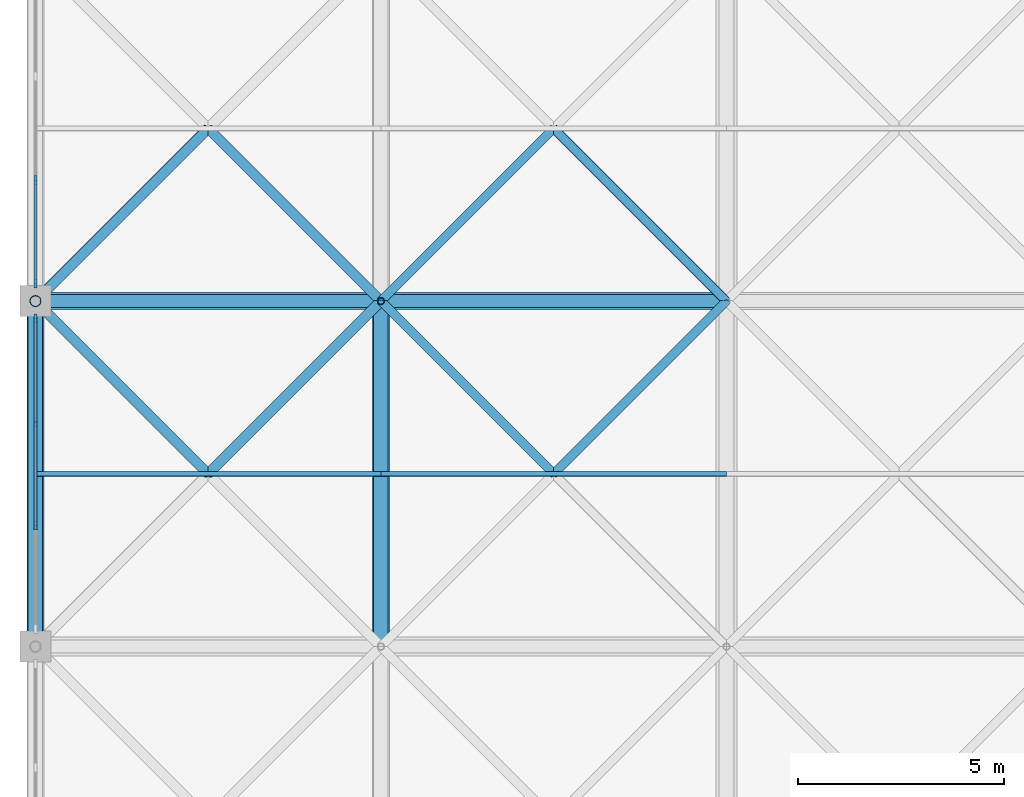
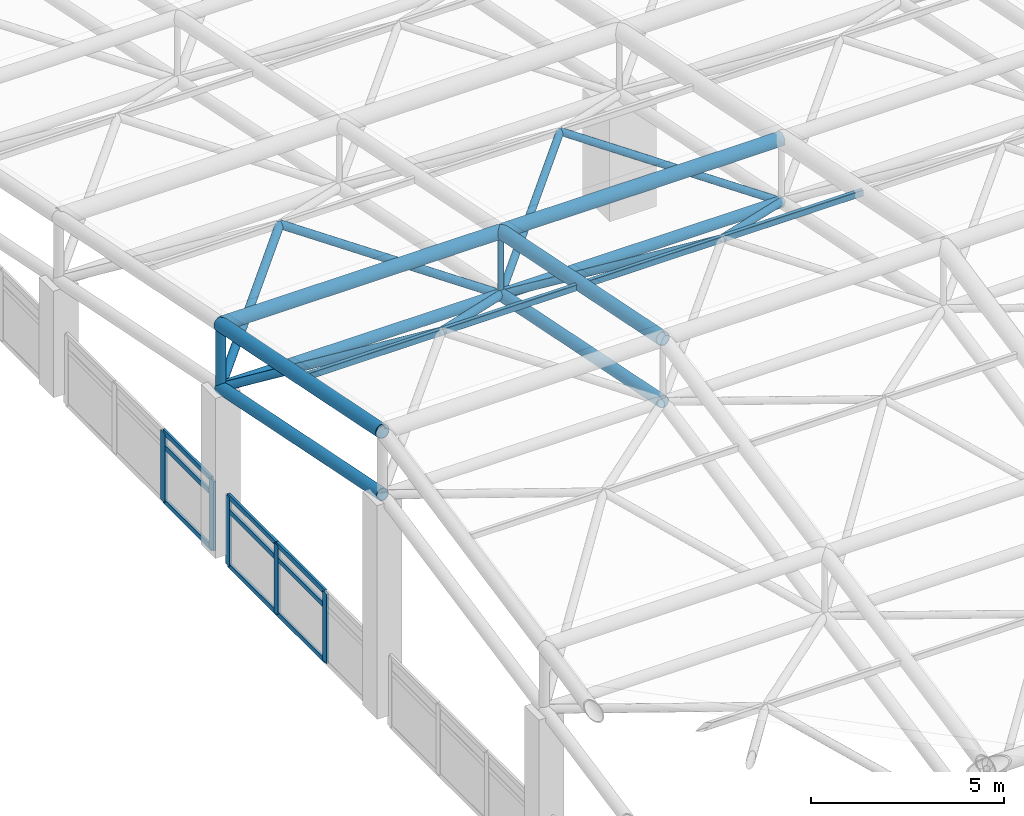
# One storey, part 31 of 81: 34 members, 2 elements without a shape of their own.
"""IFC4 building model written with IfcOpenShell, lengths in metres."""

from ifc_helpers import new_model, si_unit, direction, frame, origin, origin_2d, place, context, subcontext, project, spatial, rectangle, hollow_rectangle, hollow_circle, extrude, material, layer, layer_set, material_profile, profile_set, type_object, element, aggregate, save


model = new_model("IFC4")

# Units and contexts
model_context = context("Model", 3, precision=1e-05, world=origin(), true_north=direction((0.0, 1.0)))
body_context = subcontext(model_context, "Body", "Model", "MODEL_VIEW")
ifc_project = project(units=[si_unit("LENGTHUNIT", "METRE"), si_unit("AREAUNIT", "SQUARE_METRE"), si_unit("VOLUMEUNIT", "CUBIC_METRE"), si_unit("PLANEANGLEUNIT", "RADIAN"), si_unit("MASSUNIT", "GRAM", prefix="KILO")], contexts=[model_context])

# Site, building, storey
site_placement = place(None, origin())
site = spatial("IfcSite", under=ifc_project, at=site_placement, CompositionType="ELEMENT")
building_placement = place(site_placement, origin())
building = spatial("IfcBuilding", under=site, at=building_placement, Name="Qawsi Khor Wholesale Market", CompositionType="ELEMENT")
storey_placement = place(building_placement, frame((0.0, 0.0, 16.199951171875)))
storey = spatial("IfcBuildingStorey", under=building, at=storey_placement, Name="L03", CompositionType="ELEMENT", Elevation=16.199951171875)

# Curtain wall, members
ifc_material_1 = material(Name="Aluminium Anodised Bronze", Category="aluminium")
ifc_layer = layer(ifc_material_1, 0.199951171875, Name="Aluminium Anodised Bronze")
ifc_layer_set = layer_set([ifc_layer], Name="Aluminium Anodised Bronze")
curtain_wall_type = type_object("IfcCurtainWallType", Name="Trading Hall North-Light Curtain Wall CW-03", PredefinedType="NOTDEFINED", material=ifc_layer_set)
curtain_wall_1_placement = place(storey_placement, origin())
curtain_wall_1 = element("IfcCurtainWall", 1, at=curtain_wall_1_placement, inside=storey, type_object=curtain_wall_type, Name="Curtain wall CW-CW-03-L03-137", PredefinedType="NOTDEFINED")
ifc_material_profile_1 = material_profile(ifc_material_1, rectangle(XDim=0.074951171875, YDim=0.219970703125, at=origin_2d()), Name="ALU MULLION 75x220")
ifc_profile_set_1 = profile_set([ifc_material_profile_1], Name="Aluminium Anodised Bronze")
member_type_1 = type_object("IfcMemberType", Name="Curtain Wall Mullion CW-03 ALU MULLION 75x220", PredefinedType="MULLION", material=ifc_profile_set_1)
member_1_placement = place(storey_placement, frame((0.0, 78.540771484375, -0.300048828125), z_axis=(0.0, 0.0, 1.0), x_axis=(1.0, 0.0, 0.0)))
member_1 = element("IfcMember", 2, at=member_1_placement, type_object=member_type_1, Name="Mullion CW-CW-03-L03-137-M01", PredefinedType="MULLION", context=body_context, shape_type="SweptSolid", body=[
    extrude(rectangle(XDim=0.074951171875, YDim=0.219970703125, at=origin_2d()), origin(), (0.0, 0.0, 1.0), 2.2001953125),
])
member_2_placement = place(storey_placement, frame((0.0, 81.05908203125, -0.300048828125), z_axis=(0.0, 0.0, 1.0), x_axis=(1.0, 0.0, 0.0)))
member_2 = element("IfcMember", 3, at=member_2_placement, type_object=member_type_1, Name="Mullion CW-CW-03-L03-137-M02", PredefinedType="MULLION", context=body_context, shape_type="SweptSolid", body=[
    extrude(rectangle(XDim=0.074951171875, YDim=0.219970703125, at=origin_2d()), origin(), (0.0, 0.0, 1.0), 2.2001953125),
])
member_3_placement = place(storey_placement, frame((0.0, 83.577392578125, -0.300048828125), z_axis=(0.0, 0.0, 1.0), x_axis=(1.0, 0.0, 0.0)))
member_3 = element("IfcMember", 4, at=member_3_placement, type_object=member_type_1, Name="Mullion CW-CW-03-L03-137-M03", PredefinedType="MULLION", context=body_context, shape_type="SweptSolid", body=[
    extrude(rectangle(XDim=0.074951171875, YDim=0.219970703125, at=origin_2d()), origin(), (0.0, 0.0, 1.0), 2.2001953125),
])

curtain_wall_2_placement = place(storey_placement, origin())
curtain_wall_2 = element("IfcCurtainWall", 5, at=curtain_wall_2_placement, inside=storey, type_object=curtain_wall_type, Name="Curtain wall CW-CW-03-L03-139", PredefinedType="NOTDEFINED")
member_4_placement = place(storey_placement, frame((0.0, 84.422607421875, -0.300048828125), z_axis=(0.0, 0.0, 1.0), x_axis=(1.0, 0.0, 0.0)))
member_4 = element("IfcMember", 6, at=member_4_placement, type_object=member_type_1, Name="Mullion CW-CW-03-L03-139-M00", PredefinedType="MULLION", context=body_context, shape_type="SweptSolid", body=[
    extrude(rectangle(XDim=0.074951171875, YDim=0.219970703125, at=origin_2d()), origin(), (0.0, 0.0, 1.0), 2.2001953125),
])
member_5_placement = place(storey_placement, frame((0.0, 86.94091796875, -0.300048828125), z_axis=(0.0, 0.0, 1.0), x_axis=(1.0, 0.0, 0.0)))
member_5 = element("IfcMember", 7, at=member_5_placement, type_object=member_type_1, Name="Mullion CW-CW-03-L03-139-M01", PredefinedType="MULLION", context=body_context, shape_type="SweptSolid", body=[
    extrude(rectangle(XDim=0.074951171875, YDim=0.219970703125, at=origin_2d()), origin(), (0.0, 0.0, 1.0), 2.2001953125),
])

# Member
ifc_material_profile_2 = material_profile(ifc_material_1, rectangle(XDim=0.070068359375, YDim=0.14990234375, at=origin_2d()), Name="ALU TRANSOM 70x150")
ifc_profile_set_2 = profile_set([ifc_material_profile_2], Name="Aluminium Anodised Bronze")
member_type_2 = type_object("IfcMemberType", Name="Curtain Wall Transom CW-03 ALU TRANSOM 70x150", PredefinedType="USERDEFINED", material=ifc_profile_set_2)
member_6_placement = place(storey_placement, frame((0.0, 78.540771484375, -0.280029296875), z_axis=(0.0, 1.0, 0.0), x_axis=(-1.0, 0.0, 0.0)))
member_6 = element("IfcMember", 8, at=member_6_placement, type_object=member_type_2, Name="Transom CW-CW-03-L03-137-T0_01", ObjectType="TRANSOM", PredefinedType="USERDEFINED", context=body_context, shape_type="SweptSolid", body=[
    extrude(rectangle(XDim=0.070068359375, YDim=0.14990234375, at=origin_2d()), origin(), (0.0, 0.0, 1.0), 2.518310546875),
])

member_7_placement = place(storey_placement, frame((0.0, 81.05908203125, -0.280029296875), z_axis=(0.0, 1.0, 0.0), x_axis=(-1.0, 0.0, 0.0)))
member_7 = element("IfcMember", 9, at=member_7_placement, type_object=member_type_2, Name="Transom CW-CW-03-L03-137-T0_02", ObjectType="TRANSOM", PredefinedType="USERDEFINED", context=body_context, shape_type="SweptSolid", body=[
    extrude(rectangle(XDim=0.070068359375, YDim=0.14990234375, at=origin_2d()), origin(), (0.0, 0.0, 1.0), 2.518310546875),
])

member_8_placement = place(storey_placement, frame((0.0, 78.540771484375, 1.449951171875), z_axis=(0.0, 1.0, 0.0), x_axis=(-1.0, 0.0, 0.0)))
member_8 = element("IfcMember", 10, at=member_8_placement, type_object=member_type_2, Name="Transom CW-CW-03-L03-137-T1_01", ObjectType="TRANSOM", PredefinedType="USERDEFINED", context=body_context, shape_type="SweptSolid", body=[
    extrude(rectangle(XDim=0.070068359375, YDim=0.14990234375, at=origin_2d()), origin(), (0.0, 0.0, 1.0), 2.518310546875),
])

member_9_placement = place(storey_placement, frame((0.0, 81.05908203125, 1.449951171875), z_axis=(0.0, 1.0, 0.0), x_axis=(-1.0, 0.0, 0.0)))
member_9 = element("IfcMember", 11, at=member_9_placement, type_object=member_type_2, Name="Transom CW-CW-03-L03-137-T1_02", ObjectType="TRANSOM", PredefinedType="USERDEFINED", context=body_context, shape_type="SweptSolid", body=[
    extrude(rectangle(XDim=0.070068359375, YDim=0.14990234375, at=origin_2d()), origin(), (0.0, 0.0, 1.0), 2.518310546875),
])

member_10_placement = place(storey_placement, frame((0.0, 78.540771484375, 1.900146484375), z_axis=(0.0, 1.0, 0.0), x_axis=(-1.0, 0.0, 0.0)))
member_10 = element("IfcMember", 12, at=member_10_placement, type_object=member_type_2, Name="Transom CW-CW-03-L03-137-T2_01", ObjectType="TRANSOM", PredefinedType="USERDEFINED", context=body_context, shape_type="SweptSolid", body=[
    extrude(rectangle(XDim=0.070068359375, YDim=0.14990234375, at=origin_2d()), origin(), (0.0, 0.0, 1.0), 2.518310546875),
])

member_11_placement = place(storey_placement, frame((0.0, 81.05908203125, 1.900146484375), z_axis=(0.0, 1.0, 0.0), x_axis=(-1.0, 0.0, 0.0)))
member_11 = element("IfcMember", 13, at=member_11_placement, type_object=member_type_2, Name="Transom CW-CW-03-L03-137-T2_02", ObjectType="TRANSOM", PredefinedType="USERDEFINED", context=body_context, shape_type="SweptSolid", body=[
    extrude(rectangle(XDim=0.070068359375, YDim=0.14990234375, at=origin_2d()), origin(), (0.0, 0.0, 1.0), 2.518310546875),
])

aggregate(curtain_wall_1, [member_1, member_2, member_3, member_6, member_7, member_8, member_9, member_10, member_11])

member_12_placement = place(storey_placement, frame((0.0, 84.422607421875, -0.280029296875), z_axis=(0.0, 1.0, 0.0), x_axis=(-1.0, 0.0, 0.0)))
member_12 = element("IfcMember", 14, at=member_12_placement, type_object=member_type_2, Name="Transom CW-CW-03-L03-139-T0_00", ObjectType="TRANSOM", PredefinedType="USERDEFINED", context=body_context, shape_type="SweptSolid", body=[
    extrude(rectangle(XDim=0.070068359375, YDim=0.14990234375, at=origin_2d()), origin(), (0.0, 0.0, 1.0), 2.518310546875),
])

member_13_placement = place(storey_placement, frame((0.0, 84.422607421875, 1.449951171875), z_axis=(0.0, 1.0, 0.0), x_axis=(-1.0, 0.0, 0.0)))
member_13 = element("IfcMember", 15, at=member_13_placement, type_object=member_type_2, Name="Transom CW-CW-03-L03-139-T1_00", ObjectType="TRANSOM", PredefinedType="USERDEFINED", context=body_context, shape_type="SweptSolid", body=[
    extrude(rectangle(XDim=0.070068359375, YDim=0.14990234375, at=origin_2d()), origin(), (0.0, 0.0, 1.0), 2.518310546875),
])

member_14_placement = place(storey_placement, frame((0.0, 84.422607421875, 1.900146484375), z_axis=(0.0, 1.0, 0.0), x_axis=(-1.0, 0.0, 0.0)))
member_14 = element("IfcMember", 16, at=member_14_placement, type_object=member_type_2, Name="Transom CW-CW-03-L03-139-T2_00", ObjectType="TRANSOM", PredefinedType="USERDEFINED", context=body_context, shape_type="SweptSolid", body=[
    extrude(rectangle(XDim=0.070068359375, YDim=0.14990234375, at=origin_2d()), origin(), (0.0, 0.0, 1.0), 2.518310546875),
])

aggregate(curtain_wall_2, [member_4, member_5, member_12, member_13, member_14])

# Members
ifc_material_2 = material(Name="Steel S355", Category="steel")
ifc_material_profile_3 = material_profile(ifc_material_2, hollow_circle(Radius=0.177734375, WallThickness=0.01611328125, at=origin_2d()), Name="CHS 355.6x16.0")
ifc_profile_set_3 = profile_set([ifc_material_profile_3], Name="Steel S355")
member_type_3 = type_object("IfcMemberType", Name="Space-Frame Bottom Chord CHS 355.6x16.0", PredefinedType="CHORD", material=ifc_profile_set_3)
for number, where, z_axis, x_axis, name in (
    (17, (0.0, 75.60009765625, 6.77001953125), (0.0, 0.980129990483, -0.1983562496), (-1.0, 0.0, 0.0), "Space frame bottom chord Y WH (0,9)"),
    (18, (8.39990234375, 75.60009765625, 6.77001953125), (0.0, 0.980129990483, -0.1983562496), (-1.0, 0.0, 0.0), "Space frame bottom chord Y WH (1,9)"),
):
    element("IfcMember", number, at=place(storey_placement, frame(where, z_axis=z_axis, x_axis=x_axis)), inside=storey, type_object=member_type_3, Name=name, PredefinedType="CHORD", context=body_context, shape_type="SweptSolid", body=[
        extrude(hollow_circle(Radius=0.177734375, WallThickness=0.01611328125, at=origin_2d()), origin(), (0.0, 0.0, 1.0), 8.5703125),
    ])
ifc_material_profile_4 = material_profile(ifc_material_2, hollow_circle(Radius=0.136474609375, WallThickness=0.012451171875, at=origin_2d()), Name="CHS 273.0x12.5")
ifc_profile_set_4 = profile_set([ifc_material_profile_4], Name="Steel S355")
member_type_4 = type_object("IfcMemberType", Name="Space-Frame Edge Post CHS 273.0x12.5", PredefinedType="POST", material=ifc_profile_set_4)
member_15_placement = place(storey_placement, frame((0.0, 84.0, 5.070068359375), z_axis=(0.0, 0.0, 1.0), x_axis=(1.0, 0.0, 0.0)))
element("IfcMember", 19, at=member_15_placement, inside=storey, type_object=member_type_4, Name="Space frame post WH (0,10)", PredefinedType="POST", context=body_context, shape_type="SweptSolid", body=[
    extrude(hollow_circle(Radius=0.136474609375, WallThickness=0.012451171875, at=origin_2d()), origin(), (0.0, 0.0, 1.0), 2.0),
])
ifc_material_profile_5 = material_profile(ifc_material_2, hollow_circle(Radius=0.122314453125, WallThickness=0.012451171875, at=origin_2d()), Name="CHS 244.5x12.5")
ifc_profile_set_5 = profile_set([ifc_material_profile_5], Name="Steel S355")
member_type_5 = type_object("IfcMemberType", Name="Space-Frame Heavy Diagonal CHS 244.5x12.5", PredefinedType="POST", material=ifc_profile_set_5)
for number, where, z_axis, x_axis, name in (
    (20, (8.39990234375, 84.0, 5.070068359375), (-0.637511741089, -0.637511741089, 0.432617105474), (0.707106781187, -0.707106781187, 0.0), "Space frame diagonal WH (0,9)-3"),
    (21, (0.0, 84.0, 5.070068359375), (0.637511741089, -0.637511741089, 0.432617105474), (0.707106781187, 0.707106781187, 0.0), "Space frame diagonal WH (0,9)-4"),
):
    element("IfcMember", number, at=place(storey_placement, frame(where, z_axis=z_axis, x_axis=x_axis)), inside=storey, type_object=member_type_5, Name=name, PredefinedType="POST", context=body_context, shape_type="SweptSolid", body=[
        extrude(hollow_circle(Radius=0.122314453125, WallThickness=0.012451171875, at=origin_2d()), origin(), (0.0, 0.0, 1.0), 6.588134765625),
    ])
for number, where, z_axis, x_axis, name in (
    (22, (0.0, 84.0, 5.070068359375), (0.694216714393, 0.694216714393, 0.190069216113), (-0.707106781187, 0.707106781187, 0.0), "Space frame diagonal WH (0,10)-1"),
    (23, (8.39990234375, 84.0, 5.070068359375), (-0.694216714393, 0.694216714393, 0.190069216113), (-0.707106781187, -0.707106781187, 0.0), "Space frame diagonal WH (0,10)-2"),
):
    element("IfcMember", number, at=place(storey_placement, frame(where, z_axis=z_axis, x_axis=x_axis)), inside=storey, type_object=member_type_5, Name=name, PredefinedType="POST", context=body_context, shape_type="SweptSolid", body=[
        extrude(hollow_circle(Radius=0.122314453125, WallThickness=0.012451171875, at=origin_2d()), origin(), (0.0, 0.0, 1.0), 6.0498046875),
    ])
ifc_material_profile_6 = material_profile(ifc_material_2, hollow_rectangle(XDim=0.1201171875, YDim=0.199951171875, WallThickness=0.008056640625, InnerFilletRadius=0.008056640625, OuterFilletRadius=0.01611328125, at=origin_2d()), Name="RHS 200x120x8.0")
ifc_profile_set_6 = profile_set([ifc_material_profile_6], Name="Steel S355")
member_type_6 = type_object("IfcMemberType", Name="Space-Frame Heavy Purlin RHS 200x120x8.0", PredefinedType="PURLIN", material=ifc_profile_set_6)
member_16_placement = place(storey_placement, frame((0.0, 79.800048828125, 7.920166015625), z_axis=(1.0, 0.0, 0.0), x_axis=(0.0, 1.0, 0.0)))
element("IfcMember", 24, at=member_16_placement, inside=storey, type_object=member_type_6, Name="Space frame purlin WH (0,9)", PredefinedType="PURLIN", context=body_context, shape_type="SweptSolid", body=[
    extrude(hollow_rectangle(XDim=0.1201171875, YDim=0.199951171875, WallThickness=0.008056640625, InnerFilletRadius=0.008056640625, OuterFilletRadius=0.01611328125, at=origin_2d()), origin(), (0.0, 0.0, 1.0), 8.39990234375),
])
member_17_placement = place(storey_placement, frame((8.39990234375, 79.800048828125, 7.920166015625), z_axis=(1.0, 0.0, 0.0), x_axis=(0.0, 1.0, 0.0)))
element("IfcMember", 25, at=member_17_placement, inside=storey, type_object=member_type_6, Name="Space frame purlin WH (1,9)", PredefinedType="PURLIN", context=body_context, shape_type="SweptSolid", body=[
    extrude(hollow_rectangle(XDim=0.1201171875, YDim=0.199951171875, WallThickness=0.008056640625, InnerFilletRadius=0.008056640625, OuterFilletRadius=0.01611328125, at=origin_2d()), origin(), (0.0, 0.0, 1.0), 8.400146484375),
])
ifc_material_profile_7 = material_profile(ifc_material_2, hollow_circle(Radius=0.109619140625, WallThickness=0.010009765625, at=origin_2d()), Name="CHS 219.1x10.0")
ifc_profile_set_7 = profile_set([ifc_material_profile_7], Name="Steel S355")
member_type_7 = type_object("IfcMemberType", Name="Space-Frame Inner Diagonal CHS 219.1x10.0", PredefinedType="RAFTER", material=ifc_profile_set_7)
for number, where, z_axis, x_axis, name in (
    (26, (16.800048828125, 84.0, 5.070068359375), (-0.637511741089, -0.637511741089, 0.432617105474), (0.707106781187, -0.707106781187, 0.0), "Space frame diagonal WH (1,9)-3"),
    (27, (8.39990234375, 84.0, 5.070068359375), (0.637533737254, -0.637496679957, 0.432606884951), (0.70708622964, 0.707127332136, 0.0), "Space frame diagonal WH (1,9)-4"),
):
    element("IfcMember", number, at=place(storey_placement, frame(where, z_axis=z_axis, x_axis=x_axis)), inside=storey, type_object=member_type_7, Name=name, PredefinedType="RAFTER", context=body_context, shape_type="SweptSolid", body=[
        extrude(hollow_circle(Radius=0.109619140625, WallThickness=0.010009765625, at=origin_2d()), origin(), (0.0, 0.0, 1.0), 6.588134765625),
    ])
member_18_placement = place(storey_placement, frame((8.39990234375, 84.0, 5.070068359375), z_axis=(0.694237619642, 0.694197266374, 0.19006389145), x_axis=(-0.70708622964, 0.707127332136, 0.0)))
element("IfcMember", 28, at=member_18_placement, inside=storey, type_object=member_type_7, Name="Space frame diagonal WH (1,10)-1", PredefinedType="RAFTER", context=body_context, shape_type="SweptSolid", body=[
    extrude(hollow_circle(Radius=0.109619140625, WallThickness=0.010009765625, at=origin_2d()), origin(), (0.0, 0.0, 1.0), 6.050048828125),
])
member_19_placement = place(storey_placement, frame((16.800048828125, 84.0, 5.070068359375), z_axis=(-0.694216714393, 0.694216714393, 0.190069216113), x_axis=(-0.707106781187, -0.707106781187, 0.0)))
element("IfcMember", 29, at=member_19_placement, inside=storey, type_object=member_type_7, Name="Space frame diagonal WH (1,10)-2", PredefinedType="RAFTER", context=body_context, shape_type="SweptSolid", body=[
    extrude(hollow_circle(Radius=0.109619140625, WallThickness=0.010009765625, at=origin_2d()), origin(), (0.0, 0.0, 1.0), 6.0498046875),
])
ifc_material_profile_8 = material_profile(ifc_material_2, hollow_circle(Radius=0.161865234375, WallThickness=0.01611328125, at=origin_2d()), Name="CHS 323.9x16.0")
ifc_profile_set_8 = profile_set([ifc_material_profile_8], Name="Steel S355")
member_type_8 = type_object("IfcMemberType", Name="Space-Frame Secondary Chord CHS 323.9x16.0", PredefinedType="CHORD", material=ifc_profile_set_8)
member_20_placement = place(storey_placement, frame((0.0, 84.0, 5.070068359375), z_axis=(1.0, 0.0, 0.0), x_axis=(0.0, 1.0, 0.0)))
element("IfcMember", 30, at=member_20_placement, inside=storey, type_object=member_type_8, Name="Space frame bottom chord X WH (0,10)", PredefinedType="CHORD", context=body_context, shape_type="SweptSolid", body=[
    extrude(hollow_circle(Radius=0.161865234375, WallThickness=0.01611328125, at=origin_2d()), origin(), (0.0, 0.0, 1.0), 8.39990234375),
])
member_21_placement = place(storey_placement, frame((8.39990234375, 84.0, 5.070068359375), z_axis=(1.0, 0.0, 0.0), x_axis=(0.0, 1.0, 0.0)))
element("IfcMember", 31, at=member_21_placement, inside=storey, type_object=member_type_8, Name="Space frame bottom chord X WH (1,10)", PredefinedType="CHORD", context=body_context, shape_type="SweptSolid", body=[
    extrude(hollow_circle(Radius=0.161865234375, WallThickness=0.01611328125, at=origin_2d()), origin(), (0.0, 0.0, 1.0), 8.400146484375),
])
ifc_material_profile_9 = material_profile(ifc_material_2, hollow_circle(Radius=0.203125, WallThickness=0.02001953125, at=origin_2d()), Name="CHS 406.4x20.0")
ifc_profile_set_9 = profile_set([ifc_material_profile_9], Name="Steel S355")
member_type_9 = type_object("IfcMemberType", Name="Space-Frame Top Chord CHS 406.4x20.0", PredefinedType="CHORD", material=ifc_profile_set_9)
member_22_placement = place(storey_placement, frame((0.0, 75.60009765625, 8.77001953125), z_axis=(0.0, 0.980129990483, -0.1983562496), x_axis=(-1.0, 0.0, 0.0)))
element("IfcMember", 32, at=member_22_placement, inside=storey, type_object=member_type_9, Name="Space frame top chord Y WH (0,9)", PredefinedType="CHORD", context=body_context, shape_type="SweptSolid", body=[
    extrude(hollow_circle(Radius=0.203125, WallThickness=0.02001953125, at=origin_2d()), origin(), (0.0, 0.0, 1.0), 8.5703125),
])
member_23_placement = place(storey_placement, frame((0.0, 84.0, 7.070068359375), z_axis=(1.0, 0.0, 0.0), x_axis=(0.0, 1.0, 0.0)))
element("IfcMember", 33, at=member_23_placement, inside=storey, type_object=member_type_9, Name="Space frame top chord X WH (0,10)", PredefinedType="CHORD", context=body_context, shape_type="SweptSolid", body=[
    extrude(hollow_circle(Radius=0.203125, WallThickness=0.02001953125, at=origin_2d()), origin(), (0.0, 0.0, 1.0), 8.39990234375),
])
member_24_placement = place(storey_placement, frame((8.39990234375, 75.60009765625, 8.77001953125), z_axis=(0.0, 0.980129990483, -0.1983562496), x_axis=(-1.0, 0.0, 0.0)))
element("IfcMember", 34, at=member_24_placement, inside=storey, type_object=member_type_9, Name="Space frame top chord Y WH (1,9)", PredefinedType="CHORD", context=body_context, shape_type="SweptSolid", body=[
    extrude(hollow_circle(Radius=0.203125, WallThickness=0.02001953125, at=origin_2d()), origin(), (0.0, 0.0, 1.0), 8.5703125),
])
member_25_placement = place(storey_placement, frame((8.39990234375, 84.0, 7.070068359375), z_axis=(1.0, 0.0, 0.0), x_axis=(0.0, 1.0, 0.0)))
element("IfcMember", 35, at=member_25_placement, inside=storey, type_object=member_type_9, Name="Space frame top chord X WH (1,10)", PredefinedType="CHORD", context=body_context, shape_type="SweptSolid", body=[
    extrude(hollow_circle(Radius=0.203125, WallThickness=0.02001953125, at=origin_2d()), origin(), (0.0, 0.0, 1.0), 8.400146484375),
])
ifc_material_profile_10 = material_profile(ifc_material_2, hollow_circle(Radius=0.084228515625, WallThickness=0.008056640625, at=origin_2d()), Name="CHS 168.3x8.0")
ifc_profile_set_10 = profile_set([ifc_material_profile_10], Name="Steel S355")
member_type_10 = type_object("IfcMemberType", Name="Space-Frame Vertical Strut CHS 168.3x8.0", PredefinedType="STRUT", material=ifc_profile_set_10)
member_26_placement = place(storey_placement, frame((8.39990234375, 84.0, 5.070068359375), z_axis=(0.0, 0.0, 1.0), x_axis=(1.0, 0.0, 0.0)))
element("IfcMember", 36, at=member_26_placement, inside=storey, type_object=member_type_10, Name="Space frame post WH (1,10)", PredefinedType="STRUT", context=body_context, shape_type="SweptSolid", body=[
    extrude(hollow_circle(Radius=0.084228515625, WallThickness=0.008056640625, at=origin_2d()), origin(), (0.0, 0.0, 1.0), 2.0),
])

save(model, "model.ifc")
